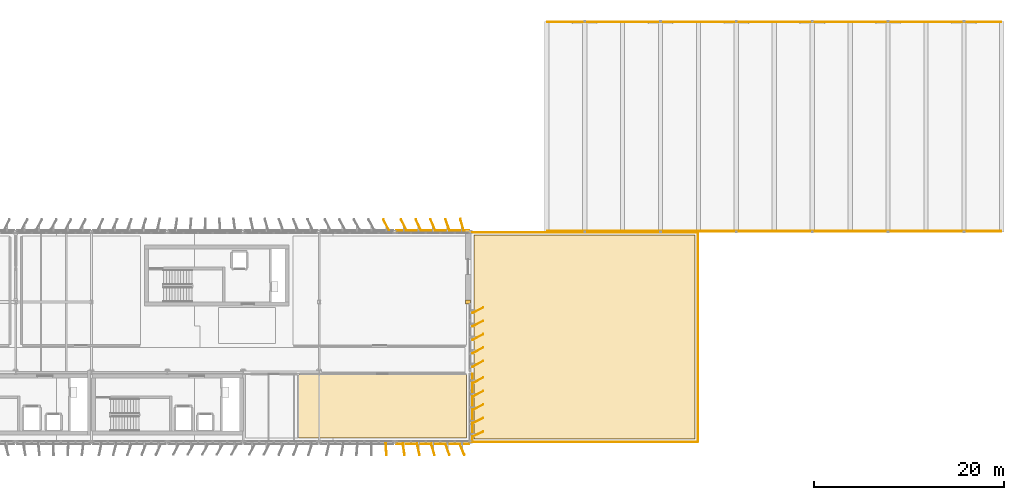
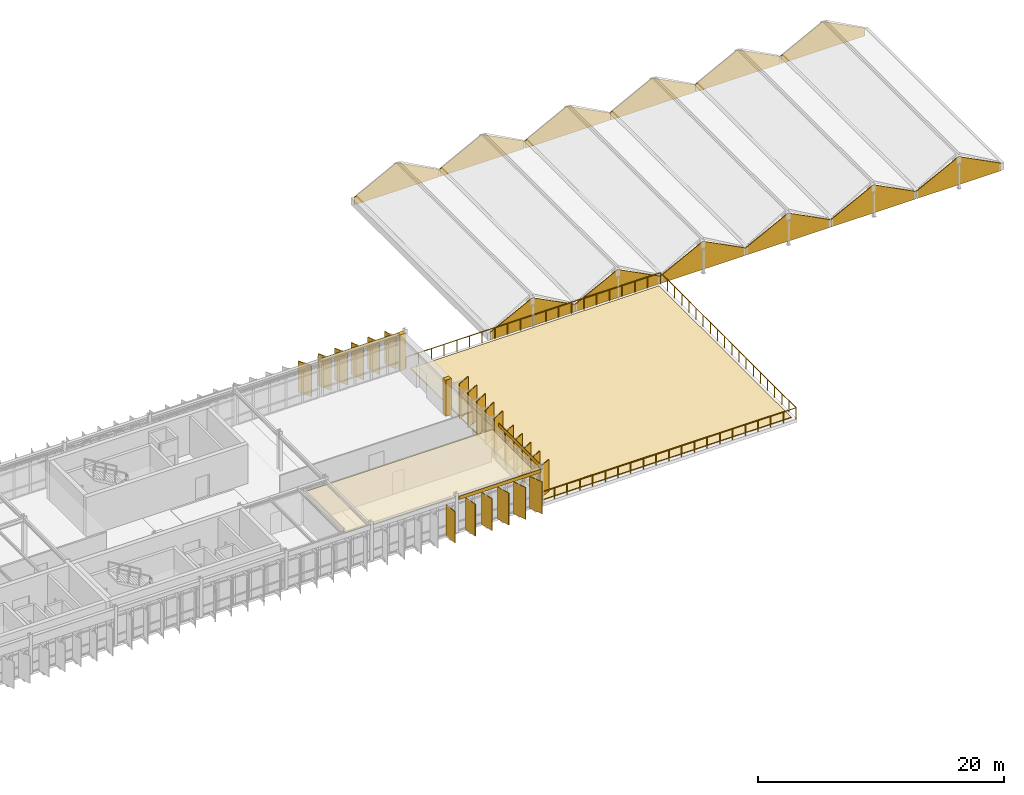
# One storey, part 35 of 35: 41 coverings, 3 railings.
"""IFC4 building model written with IfcOpenShell, lengths in metres."""

from ifc_helpers import new_model, si_unit, direction, frame, frame_2d, origin, origin_2d, place, context, subcontext, project, spatial, polyline, rectangle, circle, outline, extrude, material, layer, layer_set, type_object, element, save


model = new_model("IFC4")

# Units and contexts
model_context = context("Model", 3, precision=1e-05, world=origin(), true_north=direction((0.0, 1.0)))
body_context = subcontext(model_context, "Body", "Model", "MODEL_VIEW")
ifc_project = project(units=[si_unit("LENGTHUNIT", "METRE"), si_unit("AREAUNIT", "SQUARE_METRE"), si_unit("VOLUMEUNIT", "CUBIC_METRE"), si_unit("PLANEANGLEUNIT", "RADIAN"), si_unit("MASSUNIT", "GRAM", prefix="KILO")], contexts=[model_context])

# Site, building, storey
site_placement = place(None, origin())
site = spatial("IfcSite", under=ifc_project, at=site_placement, CompositionType="ELEMENT")
building_placement = place(site_placement, origin())
building = spatial("IfcBuilding", under=site, at=building_placement, Name="Valkorina Park Police Headquarters", CompositionType="ELEMENT")
storey_placement = place(building_placement, frame((0.0, 0.0, 27.199951171875)))
storey = spatial("IfcBuildingStorey", under=building, at=storey_placement, Name="L07", CompositionType="ELEMENT", Elevation=27.199951171875)

# Coverings
ifc_material_1 = material(Name="Acoustic mineral board")
ifc_layer_1 = layer(ifc_material_1, 0.02490234375)
ifc_layer_set_1 = layer_set([ifc_layer_1], Name="Acoustic mineral board")
covering_type_1 = type_object("IfcCoveringType", Name="COV-CEILING-ACOUST", PredefinedType="CEILING", material=ifc_layer_set_1)
covering_1_placement = place(storey_placement, frame((0.0, 0.0, 3.14501953125)))
element("IfcCovering", 1, at=covering_1_placement, inside=storey, type_object=covering_type_1, Name="Strategic Threat Assessment Suite Acoustic Suspended Ceiling", PredefinedType="CEILING", context=body_context, shape_type="SweptSolid", body=[
    extrude(outline(polyline([(72.295654296875, 44.158447265625), (72.287841796875, 44.15966796875), (72.280029296875, 44.159912109375), (54.719970703125, 44.159912109375), (54.712158203125, 44.15966796875), (54.704345703125, 44.158447265625), (54.69677734375, 44.156494140625), (54.689453125, 44.15380859375), (54.682373046875, 44.150634765625), (54.675537109375, 44.146484375), (54.669189453125, 44.141845703125), (54.663330078125, 44.13671875), (54.658203125, 44.130859375), (54.653564453125, 44.12451171875), (54.6494140625, 44.11767578125), (54.64599609375, 44.110595703125), (54.643310546875, 44.103271484375), (54.6416015625, 44.095703125), (54.640380859375, 44.087890625), (54.639892578125, 44.080078125), (54.639892578125, 37.52001953125), (54.640380859375, 37.51220703125), (54.6416015625, 37.50439453125), (54.643310546875, 37.496826171875), (54.64599609375, 37.489501953125), (54.6494140625, 37.482421875), (54.653564453125, 37.4755859375), (54.658203125, 37.46923828125), (54.663330078125, 37.46337890625), (54.669189453125, 37.458251953125), (54.675537109375, 37.45361328125), (54.682373046875, 37.449462890625), (54.689453125, 37.446044921875), (54.69677734375, 37.443359375), (54.704345703125, 37.44140625), (54.712158203125, 37.4404296875), (54.719970703125, 37.43994140625), (72.280029296875, 37.43994140625), (72.287841796875, 37.4404296875), (72.295654296875, 37.44140625), (72.30322265625, 37.443359375), (72.310546875, 37.446044921875), (72.317626953125, 37.449462890625), (72.324462890625, 37.45361328125), (72.330810546875, 37.458251953125), (72.336669921875, 37.46337890625), (72.341796875, 37.46923828125), (72.346435546875, 37.4755859375), (72.3505859375, 37.482421875), (72.35400390625, 37.489501953125), (72.356689453125, 37.496826171875), (72.3583984375, 37.50439453125), (72.359619140625, 37.51220703125), (72.360107421875, 37.52001953125), (72.360107421875, 44.080078125), (72.359619140625, 44.087890625), (72.3583984375, 44.095703125), (72.356689453125, 44.103271484375), (72.35400390625, 44.110595703125), (72.3505859375, 44.11767578125), (72.346435546875, 44.12451171875), (72.341796875, 44.130859375), (72.336669921875, 44.13671875), (72.330810546875, 44.141845703125), (72.324462890625, 44.146484375), (72.317626953125, 44.150634765625), (72.310546875, 44.15380859375), (72.30322265625, 44.156494140625), (72.295654296875, 44.158447265625)])), origin(), (0.0, 0.0, 1.0), 0.025146484375),
])
ifc_material_2 = material(Name="Precast concrete C40/50", Category="concrete")
ifc_layer_2 = layer(ifc_material_2, 0.044921875)
ifc_layer_set_2 = layer_set([ifc_layer_2], Name="Precast concrete C40/50")
covering_type_2 = type_object("IfcCoveringType", Name="COV-CLAD-DOLOMITE", PredefinedType="CLADDING", material=ifc_layer_set_2)
for number, where, z_axis, x_axis, name in (
    (2, (80.840087890625, 59.260009765625, -0.050048828125), (0.0, 0.0, 1.0), (1.0, 0.0, 0.0), "V2 Command Hall Folded-Plate Gable Closure 1S"),
    (3, (80.840087890625, 81.340087890625, -0.050048828125), (0.0, 0.0, 1.0), (1.0, 0.0, 0.0), "V2 Command Hall Folded-Plate Gable Closure 1N"),
    (4, (88.840087890625, 59.260009765625, -0.050048828125), (0.0, 0.0, 1.0), (1.0, 0.0, 0.0), "V2 Command Hall Folded-Plate Gable Closure 2S"),
    (5, (88.840087890625, 81.340087890625, -0.050048828125), (0.0, 0.0, 1.0), (1.0, 0.0, 0.0), "V2 Command Hall Folded-Plate Gable Closure 2N"),
    (6, (96.840087890625, 59.260009765625, -0.050048828125), (0.0, 0.0, 1.0), (1.0, 0.0, 0.0), "V2 Command Hall Folded-Plate Gable Closure 3S"),
    (7, (96.840087890625, 81.340087890625, -0.050048828125), (0.0, 0.0, 1.0), (1.0, 0.0, 0.0), "V2 Command Hall Folded-Plate Gable Closure 3N"),
    (8, (104.840087890625, 59.260009765625, -0.050048828125), (0.0, 0.0, 1.0), (1.0, 0.0, 0.0), "V2 Command Hall Folded-Plate Gable Closure 4S"),
    (9, (104.840087890625, 81.340087890625, -0.050048828125), (0.0, 0.0, 1.0), (1.0, 0.0, 0.0), "V2 Command Hall Folded-Plate Gable Closure 4N"),
    (10, (112.840087890625, 59.260009765625, -0.050048828125), (0.0, 0.0, 1.0), (1.0, 0.0, 0.0), "V2 Command Hall Folded-Plate Gable Closure 5S"),
    (11, (112.840087890625, 81.340087890625, -0.050048828125), (0.0, 0.0, 1.0), (1.0, 0.0, 0.0), "V2 Command Hall Folded-Plate Gable Closure 5N"),
    (12, (120.840087890625, 59.260009765625, -0.050048828125), (0.0, 0.0, 1.0), (1.0, 0.0, 0.0), "V2 Command Hall Folded-Plate Gable Closure 6S"),
    (13, (120.840087890625, 81.340087890625, -0.050048828125), (0.0, 0.0, 1.0), (1.0, 0.0, 0.0), "V2 Command Hall Folded-Plate Gable Closure 6N"),
):
    element("IfcCovering", number, at=place(storey_placement, frame(where, z_axis=z_axis, x_axis=x_axis)), inside=storey, type_object=covering_type_2, Name=name, PredefinedType="CLADDING", context=body_context, shape_type="SweptSolid", body=[
        extrude(outline(polyline([(0.0, 0.0), (7.919921875, 0.0), (7.919921875, 0.75), (3.9599609375, 2.7939453125), (0.0, 0.75), (0.0, 0.0)])), frame((0.0, 0.0400390625, 0.0), z_axis=(0.0, -1.0, 0.0), x_axis=(1.0, 0.0, 0.0)), (0.0, 0.0, 1.0), 0.080078125),
    ])
for number, where, z_axis, x_axis, name in (
    (14, (72.639892578125, 36.840087890625, 3.22998046875), (0.0, 0.0, 1.0), (-1.0, 0.0, 0.0), "L07 Spandrel Beam Insulated Fascia 2552"),
    (15, (64.9599609375, 59.360107421875, 3.22998046875), (0.0, 0.0, 1.0), (1.0, 0.0, 0.0), "L07 Spandrel Beam Insulated Fascia 2572"),
):
    element("IfcCovering", number, at=place(storey_placement, frame(where, z_axis=z_axis, x_axis=x_axis)), inside=storey, type_object=covering_type_2, Name=name, PredefinedType="CLADDING", context=body_context, shape_type="SweptSolid", body=[
        extrude(rectangle(XDim=7.679931640625, YDim=0.044921875, at=frame_2d((3.83984375, 0.0))), origin(), (0.0, 0.0, 1.0), 0.340087890625),
    ])
for number, where, z_axis, x_axis, name in (
    (16, (72.510009765625, 59.2099609375, 0.0), (0.0, 0.0, 1.0), (0.0, 1.0, 0.0), "L07 Exterior Joint Closure Pilaster A 2573"),
    (17, (72.510009765625, 51.800048828125, 0.0), (0.0, 0.0, 1.0), (0.0, 1.0, 0.0), "L07 Exterior Joint Closure Pilaster B 2574"),
):
    element("IfcCovering", number, at=place(storey_placement, frame(where, z_axis=z_axis, x_axis=x_axis)), inside=storey, type_object=covering_type_2, Name=name, PredefinedType="CLADDING", context=body_context, shape_type="SweptSolid", body=[
        extrude(rectangle(XDim=0.419921875, YDim=0.52197265625, at=origin_2d()), origin(), (0.0, 0.0, 1.0), 3.570068359375),
    ])
covering_2_placement = place(storey_placement, frame((72.9599609375, 44.22998046875, 3.22998046875), z_axis=(0.0, 0.0, 1.0), x_axis=(0.0, -1.0, 0.0)))
element("IfcCovering", 18, at=covering_2_placement, inside=storey, type_object=covering_type_2, Name="L07 Spandrel Beam Insulated Fascia 2575", PredefinedType="CLADDING", context=body_context, shape_type="SweptSolid", body=[
    extrude(rectangle(XDim=7.070068359375, YDim=0.044921875, at=frame_2d((3.53515625, 0.0))), origin(), (0.0, 0.0, 1.0), 0.340087890625),
])
ifc_material_3 = material(Name="Planted green roof substrate")
ifc_layer_3 = layer(ifc_material_3, 0.080078125)
ifc_layer_set_3 = layer_set([ifc_layer_3], Name="Planted green roof substrate")
covering_type_3 = type_object("IfcCoveringType", Name="COV-ROOF-GREEN", PredefinedType="ROOFING", material=ifc_layer_set_3)
covering_3_placement = place(storey_placement, origin())
element("IfcCovering", 19, at=covering_3_placement, inside=storey, type_object=covering_type_3, Name="L07 Taskforce Stepped Terrace Planted Substrate", PredefinedType="ROOFING", context=body_context, shape_type="SweptSolid", body=[
    extrude(outline(polyline([(96.449951171875, 58.842041015625), (73.14990234375, 58.842041015625), (73.14990234375, 37.35009765625), (96.449951171875, 37.35009765625), (96.449951171875, 58.842041015625)])), origin(), (0.0, 0.0, 1.0), 0.080078125),
])

# Railings
ifc_material_4 = material(Name="Stainless steel EN 1.4404", Category="steel")
railing_type = type_object("IfcRailingType", Name="RL-GUARD-EXT-1100", PredefinedType="BALUSTRADE", material=ifc_material_4)
railing_1_placement = place(storey_placement, frame((72.860107421875, 37.06005859375, 0.0)))
element("IfcRailing", 20, at=railing_1_placement, inside=storey, type_object=railing_type, Name="TERR-L07-EAST Perimeter Balustrade Guard 11", PredefinedType="BALUSTRADE", context=body_context, shape_type="SweptSolid", body=[
    extrude(circle(Radius=0.02392578125, at=origin_2d()), frame((0.0, 0.0, 1.09619140625), z_axis=(1.0, 0.0, 0.0), x_axis=(0.0, 1.0, 0.0)), (0.0, 0.0, 1.0), 23.8798828125),
    extrude(circle(Radius=0.02099609375, at=origin_2d()), origin(), (0.0, 0.0, 1.0), 1.072021484375),
    extrude(circle(Radius=0.02099609375, at=origin_2d()), frame((1.194091796875, 0.0, 0.0)), (0.0, 0.0, 1.0), 1.072021484375),
    extrude(circle(Radius=0.02099609375, at=origin_2d()), frame((2.387939453125, 0.0, 0.0)), (0.0, 0.0, 1.0), 1.072021484375),
    extrude(circle(Radius=0.02099609375, at=origin_2d()), frame((3.58203125, 0.0, 0.0)), (0.0, 0.0, 1.0), 1.072021484375),
    extrude(circle(Radius=0.02099609375, at=origin_2d()), frame((4.77587890625, 0.0, 0.0)), (0.0, 0.0, 1.0), 1.072021484375),
    extrude(circle(Radius=0.02099609375, at=origin_2d()), frame((5.969970703125, 0.0, 0.0)), (0.0, 0.0, 1.0), 1.072021484375),
    extrude(circle(Radius=0.02099609375, at=origin_2d()), frame((7.1640625, 0.0, 0.0)), (0.0, 0.0, 1.0), 1.072021484375),
    extrude(circle(Radius=0.02099609375, at=origin_2d()), frame((8.35791015625, 0.0, 0.0)), (0.0, 0.0, 1.0), 1.072021484375),
    extrude(circle(Radius=0.02099609375, at=origin_2d()), frame((9.552001953125, 0.0, 0.0)), (0.0, 0.0, 1.0), 1.072021484375),
    extrude(circle(Radius=0.02099609375, at=origin_2d()), frame((10.745849609375, 0.0, 0.0)), (0.0, 0.0, 1.0), 1.072021484375),
    extrude(circle(Radius=0.02099609375, at=origin_2d()), frame((11.93994140625, 0.0, 0.0)), (0.0, 0.0, 1.0), 1.072021484375),
    extrude(circle(Radius=0.02099609375, at=origin_2d()), frame((13.134033203125, 0.0, 0.0)), (0.0, 0.0, 1.0), 1.072021484375),
    extrude(circle(Radius=0.02099609375, at=origin_2d()), frame((14.327880859375, 0.0, 0.0)), (0.0, 0.0, 1.0), 1.072021484375),
    extrude(circle(Radius=0.02099609375, at=origin_2d()), frame((15.52197265625, 0.0, 0.0)), (0.0, 0.0, 1.0), 1.072021484375),
    extrude(circle(Radius=0.02099609375, at=origin_2d()), frame((16.7158203125, 0.0, 0.0)), (0.0, 0.0, 1.0), 1.072021484375),
    extrude(circle(Radius=0.02099609375, at=origin_2d()), frame((17.909912109375, 0.0, 0.0)), (0.0, 0.0, 1.0), 1.072021484375),
    extrude(circle(Radius=0.02099609375, at=origin_2d()), frame((19.10400390625, 0.0, 0.0)), (0.0, 0.0, 1.0), 1.072021484375),
    extrude(circle(Radius=0.02099609375, at=origin_2d()), frame((20.2978515625, 0.0, 0.0)), (0.0, 0.0, 1.0), 1.072021484375),
    extrude(circle(Radius=0.02099609375, at=origin_2d()), frame((21.491943359375, 0.0, 0.0)), (0.0, 0.0, 1.0), 1.072021484375),
    extrude(circle(Radius=0.02099609375, at=origin_2d()), frame((22.685791015625, 0.0, 0.0)), (0.0, 0.0, 1.0), 1.072021484375),
    extrude(circle(Radius=0.02099609375, at=origin_2d()), frame((23.8798828125, 0.0, 0.0)), (0.0, 0.0, 1.0), 1.072021484375),
])
railing_2_placement = place(storey_placement, frame((96.739990234375, 37.06005859375, 0.0)))
element("IfcRailing", 21, at=railing_2_placement, inside=storey, type_object=railing_type, Name="TERR-L07-EAST Perimeter Balustrade Guard 12", PredefinedType="BALUSTRADE", context=body_context, shape_type="SweptSolid", body=[
    extrude(circle(Radius=0.02392578125, at=origin_2d()), frame((0.0, 0.0, 1.09619140625), z_axis=(0.0, 1.0, 0.0), x_axis=(-1.0, 0.0, 0.0)), (0.0, 0.0, 1.0), 22.072021484375),
    extrude(circle(Radius=0.02099609375, at=origin_2d()), origin(), (0.0, 0.0, 1.0), 1.072021484375),
    extrude(circle(Radius=0.02099609375, at=origin_2d()), frame((0.0, 1.16162109375, 0.0)), (0.0, 0.0, 1.0), 1.072021484375),
    extrude(circle(Radius=0.02099609375, at=origin_2d()), frame((0.0, 2.323486328125, 0.0)), (0.0, 0.0, 1.0), 1.072021484375),
    extrude(circle(Radius=0.02099609375, at=origin_2d()), frame((0.0, 3.485107421875, 0.0)), (0.0, 0.0, 1.0), 1.072021484375),
    extrude(circle(Radius=0.02099609375, at=origin_2d()), frame((0.0, 4.646728515625, 0.0)), (0.0, 0.0, 1.0), 1.072021484375),
    extrude(circle(Radius=0.02099609375, at=origin_2d()), frame((0.0, 5.808349609375, 0.0)), (0.0, 0.0, 1.0), 1.072021484375),
    extrude(circle(Radius=0.02099609375, at=origin_2d()), frame((0.0, 6.97021484375, 0.0)), (0.0, 0.0, 1.0), 1.072021484375),
    extrude(circle(Radius=0.02099609375, at=origin_2d()), frame((0.0, 8.1318359375, 0.0)), (0.0, 0.0, 1.0), 1.072021484375),
    extrude(circle(Radius=0.02099609375, at=origin_2d()), frame((0.0, 9.29345703125, 0.0)), (0.0, 0.0, 1.0), 1.072021484375),
    extrude(circle(Radius=0.02099609375, at=origin_2d()), frame((0.0, 10.455078125, 0.0)), (0.0, 0.0, 1.0), 1.072021484375),
    extrude(circle(Radius=0.02099609375, at=origin_2d()), frame((0.0, 11.616943359375, 0.0)), (0.0, 0.0, 1.0), 1.072021484375),
    extrude(circle(Radius=0.02099609375, at=origin_2d()), frame((0.0, 12.778564453125, 0.0)), (0.0, 0.0, 1.0), 1.072021484375),
    extrude(circle(Radius=0.02099609375, at=origin_2d()), frame((0.0, 13.940185546875, 0.0)), (0.0, 0.0, 1.0), 1.072021484375),
    extrude(circle(Radius=0.02099609375, at=origin_2d()), frame((0.0, 15.101806640625, 0.0)), (0.0, 0.0, 1.0), 1.072021484375),
    extrude(circle(Radius=0.02099609375, at=origin_2d()), frame((0.0, 16.263671875, 0.0)), (0.0, 0.0, 1.0), 1.072021484375),
    extrude(circle(Radius=0.02099609375, at=origin_2d()), frame((0.0, 17.42529296875, 0.0)), (0.0, 0.0, 1.0), 1.072021484375),
    extrude(circle(Radius=0.02099609375, at=origin_2d()), frame((0.0, 18.5869140625, 0.0)), (0.0, 0.0, 1.0), 1.072021484375),
    extrude(circle(Radius=0.02099609375, at=origin_2d()), frame((0.0, 19.74853515625, 0.0)), (0.0, 0.0, 1.0), 1.072021484375),
    extrude(circle(Radius=0.02099609375, at=origin_2d()), frame((0.0, 20.910400390625, 0.0)), (0.0, 0.0, 1.0), 1.072021484375),
    extrude(circle(Radius=0.02099609375, at=origin_2d()), frame((0.0, 22.072021484375, 0.0)), (0.0, 0.0, 1.0), 1.072021484375),
])
railing_3_placement = place(storey_placement, frame((96.739990234375, 59.132080078125, 0.0)))
element("IfcRailing", 22, at=railing_3_placement, inside=storey, type_object=railing_type, Name="TERR-L07-EAST Perimeter Balustrade Guard 13", PredefinedType="BALUSTRADE", context=body_context, shape_type="SweptSolid", body=[
    extrude(circle(Radius=0.02392578125, at=origin_2d()), frame((0.0, 0.0, 1.09619140625), z_axis=(-1.0, 0.0, 0.0), x_axis=(0.0, -1.0, 0.0)), (0.0, 0.0, 1.0), 23.8798828125),
    extrude(circle(Radius=0.02099609375, at=origin_2d()), origin(), (0.0, 0.0, 1.0), 1.072021484375),
    extrude(circle(Radius=0.02099609375, at=origin_2d()), frame((-1.194091796875, 0.0, 0.0)), (0.0, 0.0, 1.0), 1.072021484375),
    extrude(circle(Radius=0.02099609375, at=origin_2d()), frame((-2.387939453125, 0.0, 0.0)), (0.0, 0.0, 1.0), 1.072021484375),
    extrude(circle(Radius=0.02099609375, at=origin_2d()), frame((-3.58203125, 0.0, 0.0)), (0.0, 0.0, 1.0), 1.072021484375),
    extrude(circle(Radius=0.02099609375, at=origin_2d()), frame((-4.77587890625, 0.0, 0.0)), (0.0, 0.0, 1.0), 1.072021484375),
    extrude(circle(Radius=0.02099609375, at=origin_2d()), frame((-5.969970703125, 0.0, 0.0)), (0.0, 0.0, 1.0), 1.072021484375),
    extrude(circle(Radius=0.02099609375, at=origin_2d()), frame((-7.1640625, 0.0, 0.0)), (0.0, 0.0, 1.0), 1.072021484375),
    extrude(circle(Radius=0.02099609375, at=origin_2d()), frame((-8.35791015625, 0.0, 0.0)), (0.0, 0.0, 1.0), 1.072021484375),
    extrude(circle(Radius=0.02099609375, at=origin_2d()), frame((-9.552001953125, 0.0, 0.0)), (0.0, 0.0, 1.0), 1.072021484375),
    extrude(circle(Radius=0.02099609375, at=origin_2d()), frame((-10.745849609375, 0.0, 0.0)), (0.0, 0.0, 1.0), 1.072021484375),
    extrude(circle(Radius=0.02099609375, at=origin_2d()), frame((-11.93994140625, 0.0, 0.0)), (0.0, 0.0, 1.0), 1.072021484375),
    extrude(circle(Radius=0.02099609375, at=origin_2d()), frame((-13.134033203125, 0.0, 0.0)), (0.0, 0.0, 1.0), 1.072021484375),
    extrude(circle(Radius=0.02099609375, at=origin_2d()), frame((-14.327880859375, 0.0, 0.0)), (0.0, 0.0, 1.0), 1.072021484375),
    extrude(circle(Radius=0.02099609375, at=origin_2d()), frame((-15.52197265625, 0.0, 0.0)), (0.0, 0.0, 1.0), 1.072021484375),
    extrude(circle(Radius=0.02099609375, at=origin_2d()), frame((-16.7158203125, 0.0, 0.0)), (0.0, 0.0, 1.0), 1.072021484375),
    extrude(circle(Radius=0.02099609375, at=origin_2d()), frame((-17.909912109375, 0.0, 0.0)), (0.0, 0.0, 1.0), 1.072021484375),
    extrude(circle(Radius=0.02099609375, at=origin_2d()), frame((-19.10400390625, 0.0, 0.0)), (0.0, 0.0, 1.0), 1.072021484375),
    extrude(circle(Radius=0.02099609375, at=origin_2d()), frame((-20.2978515625, 0.0, 0.0)), (0.0, 0.0, 1.0), 1.072021484375),
    extrude(circle(Radius=0.02099609375, at=origin_2d()), frame((-21.491943359375, 0.0, 0.0)), (0.0, 0.0, 1.0), 1.072021484375),
    extrude(circle(Radius=0.02099609375, at=origin_2d()), frame((-22.685791015625, 0.0, 0.0)), (0.0, 0.0, 1.0), 1.072021484375),
    extrude(circle(Radius=0.02099609375, at=origin_2d()), frame((-23.8798828125, 0.0, 0.0)), (0.0, 0.0, 1.0), 1.072021484375),
])

# Coverings
ifc_material_5 = material(Name="Polychrome anodized aluminium - Baltic Amber", Category="aluminium")
ifc_layer_4 = layer(ifc_material_5, 0.06494140625)
ifc_layer_set_4 = layer_set([ifc_layer_4], Name="Polychrome anodized aluminium - Baltic Amber")
covering_type_4 = type_object("IfcCoveringType", Name="SHD-LOUVRE-AMBER", PredefinedType="CLADDING", material=ifc_layer_set_4)
covering_4_placement = place(storey_placement, frame((67.263916015625, 36.260009765625, 0.0400390625), z_axis=(0.0, 0.0, 1.0), x_axis=(0.217802568899, -0.975992848837, 0.0)))
element("IfcCovering", 23, at=covering_4_placement, inside=storey, type_object=covering_type_4, Name="V5 Polychrome Pivoting Louvre 0465", PredefinedType="CLADDING", context=body_context, shape_type="SweptSolid", body=[
    extrude(rectangle(XDim=1.280029296875, YDim=0.06494140625, at=origin_2d()), origin(), (0.0, 0.0, 1.0), 3.169921875),
])
covering_5_placement = place(storey_placement, frame((63.8720703125, 59.93994140625, 0.0400390625), z_axis=(0.0, 0.0, 1.0), x_axis=(-0.474088209047, 0.880477353509, 0.0)))
element("IfcCovering", 24, at=covering_5_placement, inside=storey, type_object=covering_type_4, Name="V5 Polychrome Pivoting Louvre 0563", PredefinedType="CLADDING", context=body_context, shape_type="SweptSolid", body=[
    extrude(rectangle(XDim=1.280029296875, YDim=0.06494140625, at=origin_2d()), origin(), (0.0, 0.0, 1.0), 3.10009765625),
])
covering_6_placement = place(storey_placement, frame((70.3359375, 59.93994140625, 0.0400390625), z_axis=(0.0, 0.0, 1.0), x_axis=(-0.333313247568, 0.942816142732, 0.0)))
element("IfcCovering", 25, at=covering_6_placement, inside=storey, type_object=covering_type_4, Name="V5 Polychrome Pivoting Louvre 0567", PredefinedType="CLADDING", context=body_context, shape_type="SweptSolid", body=[
    extrude(rectangle(XDim=1.280029296875, YDim=0.06494140625, at=origin_2d()), origin(), (0.0, 0.0, 1.0), 3.169921875),
])
covering_7_placement = place(storey_placement, frame((73.5400390625, 48.10009765625, 0.0400390625), z_axis=(0.0, 0.0, 1.0), x_axis=(0.881385914309, 0.472396941203, 0.0)))
element("IfcCovering", 26, at=covering_7_placement, inside=storey, type_object=covering_type_4, Name="V5 Polychrome Pivoting Louvre 0571", PredefinedType="CLADDING", context=body_context, shape_type="SweptSolid", body=[
    extrude(rectangle(XDim=1.280029296875, YDim=0.06494140625, at=origin_2d()), origin(), (0.0, 0.0, 1.0), 3.5),
])
covering_8_placement = place(storey_placement, frame((73.5400390625, 42.10888671875, 0.0400390625), z_axis=(0.0, 0.0, 1.0), x_axis=(0.880146162961, 0.474702782617, 0.0)))
element("IfcCovering", 27, at=covering_8_placement, inside=storey, type_object=covering_type_4, Name="V5 Polychrome Pivoting Louvre 0575", PredefinedType="CLADDING", context=body_context, shape_type="SweptSolid", body=[
    extrude(rectangle(XDim=1.280029296875, YDim=0.06494140625, at=origin_2d()), origin(), (0.0, 0.0, 1.0), 3.169921875),
])
ifc_material_6 = material(Name="Polychrome anodized aluminium - Riga Ochre", Category="aluminium")
ifc_layer_5 = layer(ifc_material_6, 0.06494140625)
ifc_layer_set_5 = layer_set([ifc_layer_5], Name="Polychrome anodized aluminium - Riga Ochre")
covering_type_5 = type_object("IfcCoveringType", Name="SHD-LOUVRE-OCHRE", PredefinedType="CLADDING", material=ifc_layer_set_5)
covering_9_placement = place(storey_placement, frame((70.3359375, 36.260009765625, 0.0400390625), z_axis=(0.0, 0.0, 1.0), x_axis=(0.334958263661, -0.942232965675, 0.0)))
element("IfcCovering", 28, at=covering_9_placement, inside=storey, type_object=covering_type_5, Name="V5 Polychrome Pivoting Louvre 0463", PredefinedType="CLADDING", context=body_context, shape_type="SweptSolid", body=[
    extrude(rectangle(XDim=1.280029296875, YDim=0.06494140625, at=origin_2d()), origin(), (0.0, 0.0, 1.0), 3.169921875),
])
covering_10_placement = place(storey_placement, frame((63.8720703125, 36.260009765625, 0.0400390625), z_axis=(0.0, 0.0, 1.0), x_axis=(0.063835616056, -0.997960427133, 0.0)))
element("IfcCovering", 29, at=covering_10_placement, inside=storey, type_object=covering_type_5, Name="V5 Polychrome Pivoting Louvre 0467", PredefinedType="CLADDING", context=body_context, shape_type="SweptSolid", body=[
    extrude(rectangle(XDim=1.280029296875, YDim=0.06494140625, at=origin_2d()), origin(), (0.0, 0.0, 1.0), 3.10009765625),
])
covering_11_placement = place(storey_placement, frame((67.263916015625, 59.93994140625, 0.0400390625), z_axis=(0.0, 0.0, 1.0), x_axis=(-0.419927336103, 0.90755772951, 0.0)))
element("IfcCovering", 30, at=covering_11_placement, inside=storey, type_object=covering_type_5, Name="V5 Polychrome Pivoting Louvre 0565", PredefinedType="CLADDING", context=body_context, shape_type="SweptSolid", body=[
    extrude(rectangle(XDim=1.280029296875, YDim=0.06494140625, at=origin_2d()), origin(), (0.0, 0.0, 1.0), 3.169921875),
])
for number, where, z_axis, x_axis, name in (
    (31, (73.5400390625, 50.924072265625, 0.0400390625), (0.0, 0.0, 1.0), (0.897720221461, 0.440566004113, 0.0), "V5 Polychrome Pivoting Louvre 0569"),
    (32, (73.5400390625, 45.27587890625, 0.0400390625), (0.0, 0.0, 1.0), (0.874704309059, 0.484656962927, 0.0), "V5 Polychrome Pivoting Louvre 0573"),
):
    element("IfcCovering", number, at=place(storey_placement, frame(where, z_axis=z_axis, x_axis=x_axis)), inside=storey, type_object=covering_type_5, Name=name, PredefinedType="CLADDING", context=body_context, shape_type="SweptSolid", body=[
        extrude(rectangle(XDim=1.280029296875, YDim=0.06494140625, at=origin_2d()), origin(), (0.0, 0.0, 1.0), 3.5),
    ])
covering_12_placement = place(storey_placement, frame((73.5400390625, 39.281005859375, 0.0400390625), z_axis=(0.0, 0.0, 1.0), x_axis=(0.895556498716, 0.444947814477, 0.0)))
element("IfcCovering", 33, at=covering_12_placement, inside=storey, type_object=covering_type_5, Name="V5 Polychrome Pivoting Louvre 0577", PredefinedType="CLADDING", context=body_context, shape_type="SweptSolid", body=[
    extrude(rectangle(XDim=1.280029296875, YDim=0.06494140625, at=origin_2d()), origin(), (0.0, 0.0, 1.0), 3.169921875),
])
ifc_material_7 = material(Name="Polychrome anodized aluminium - Courland Slate Blue", Category="masonry")
ifc_layer_6 = layer(ifc_material_7, 0.06494140625)
ifc_layer_set_6 = layer_set([ifc_layer_6], Name="Polychrome anodized aluminium - Courland Slate Blue")
covering_type_6 = type_object("IfcCoveringType", Name="SHD-LOUVRE-SLATE", PredefinedType="CLADDING", material=ifc_layer_set_6)
for number, where, z_axis, x_axis, name in (
    (34, (68.800048828125, 36.260009765625, 0.0400390625), (0.0, 0.0, 1.0), (0.279829014031, -0.960049854386, 0.0), "V5 Polychrome Pivoting Louvre 0464"),
    (35, (68.800048828125, 59.93994140625, 0.0400390625), (0.0, 0.0, 1.0), (-0.380909006823, 0.924612528858, 0.0), "V5 Polychrome Pivoting Louvre 0566"),
):
    element("IfcCovering", number, at=place(storey_placement, frame(where, z_axis=z_axis, x_axis=x_axis)), inside=storey, type_object=covering_type_6, Name=name, PredefinedType="CLADDING", context=body_context, shape_type="SweptSolid", body=[
        extrude(rectangle(XDim=1.280029296875, YDim=0.06494140625, at=origin_2d()), origin(), (0.0, 0.0, 1.0), 3.169921875),
    ])
covering_13_placement = place(storey_placement, frame((73.5400390625, 49.511962890625, 0.0400390625), z_axis=(0.0, 0.0, 1.0), x_axis=(0.888457079624, 0.458959712465, 0.0)))
element("IfcCovering", 36, at=covering_13_placement, inside=storey, type_object=covering_type_6, Name="V5 Polychrome Pivoting Louvre 0570", PredefinedType="CLADDING", context=body_context, shape_type="SweptSolid", body=[
    extrude(rectangle(XDim=1.280029296875, YDim=0.06494140625, at=origin_2d()), origin(), (0.0, 0.0, 1.0), 3.5),
])
for number, where, z_axis, x_axis, name in (
    (37, (73.5400390625, 43.52294921875, 0.0400390625), (0.0, 0.0, 1.0), (0.876054314299, 0.482212441148, 0.0), "V5 Polychrome Pivoting Louvre 0574"),
    (38, (73.5400390625, 37.866943359375, 0.0400390625), (0.0, 0.0, 1.0), (0.906307787037, 0.422618261741, 0.0), "V5 Polychrome Pivoting Louvre 0578"),
):
    element("IfcCovering", number, at=place(storey_placement, frame(where, z_axis=z_axis, x_axis=x_axis)), inside=storey, type_object=covering_type_6, Name=name, PredefinedType="CLADDING", context=body_context, shape_type="SweptSolid", body=[
        extrude(rectangle(XDim=1.280029296875, YDim=0.06494140625, at=origin_2d()), origin(), (0.0, 0.0, 1.0), 3.169921875),
    ])
ifc_material_8 = material(Name="Polychrome anodized aluminium - Pine Verdigris", Category="aluminium")
ifc_layer_7 = layer(ifc_material_8, 0.06494140625)
ifc_layer_set_7 = layer_set([ifc_layer_7], Name="Polychrome anodized aluminium - Pine Verdigris")
covering_type_7 = type_object("IfcCoveringType", Name="SHD-LOUVRE-VERDIGRIS", PredefinedType="CLADDING", material=ifc_layer_set_7)
for number, where, z_axis, x_axis, name in (
    (39, (71.8720703125, 36.260009765625, 0.0400390625), (0.0, 0.0, 1.0), (0.382199637738, -0.924079778435, 0.0), "V5 Polychrome Pivoting Louvre 0462"),
    (40, (65.72802734375, 36.260009765625, 0.0400390625), (0.0, 0.0, 1.0), (0.150398139113, -0.988625510369, 0.0), "V5 Polychrome Pivoting Louvre 0466"),
    (41, (65.72802734375, 59.93994140625, 0.0400390625), (0.0, 0.0, 1.0), (-0.449942579956, 0.893057486807, 0.0), "V5 Polychrome Pivoting Louvre 0564"),
    (42, (71.8720703125, 59.93994140625, 0.0400390625), (0.0, 0.0, 1.0), (-0.277985336053, 0.960585317887, 0.0), "V5 Polychrome Pivoting Louvre 0568"),
):
    element("IfcCovering", number, at=place(storey_placement, frame(where, z_axis=z_axis, x_axis=x_axis)), inside=storey, type_object=covering_type_7, Name=name, PredefinedType="CLADDING", context=body_context, shape_type="SweptSolid", body=[
        extrude(rectangle(XDim=1.280029296875, YDim=0.06494140625, at=origin_2d()), origin(), (0.0, 0.0, 1.0), 3.169921875),
    ])
covering_14_placement = place(storey_placement, frame((73.5400390625, 46.68798828125, 0.0400390625), z_axis=(0.0, 0.0, 1.0), x_axis=(0.876726755708, 0.480988768919, 0.0)))
element("IfcCovering", 43, at=covering_14_placement, inside=storey, type_object=covering_type_7, Name="V5 Polychrome Pivoting Louvre 0572", PredefinedType="CLADDING", context=body_context, shape_type="SweptSolid", body=[
    extrude(rectangle(XDim=1.280029296875, YDim=0.06494140625, at=origin_2d()), origin(), (0.0, 0.0, 1.0), 3.5),
])
covering_15_placement = place(storey_placement, frame((73.5400390625, 40.695068359375, 0.0400390625), z_axis=(0.0, 0.0, 1.0), x_axis=(0.886688255701, 0.462367751041, 0.0)))
element("IfcCovering", 44, at=covering_15_placement, inside=storey, type_object=covering_type_7, Name="V5 Polychrome Pivoting Louvre 0576", PredefinedType="CLADDING", context=body_context, shape_type="SweptSolid", body=[
    extrude(rectangle(XDim=1.280029296875, YDim=0.06494140625, at=origin_2d()), origin(), (0.0, 0.0, 1.0), 3.169921875),
])

save(model, "model.ifc")
